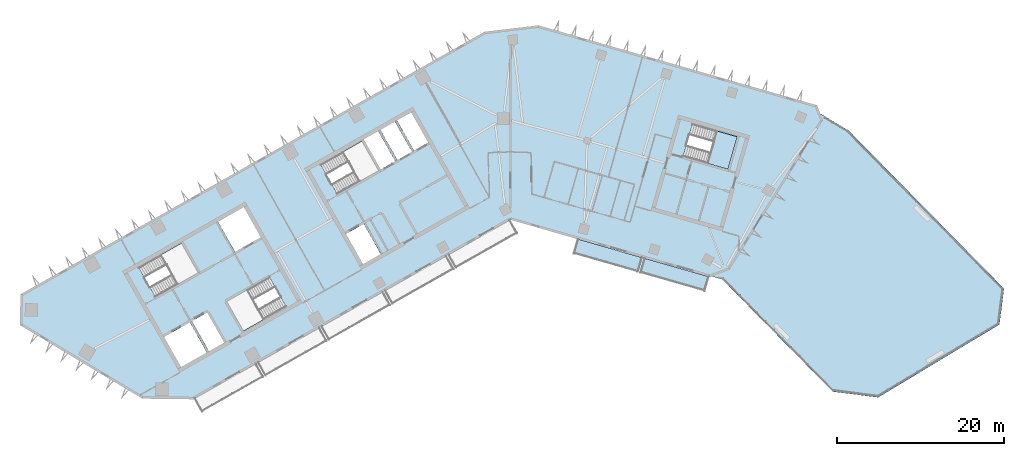
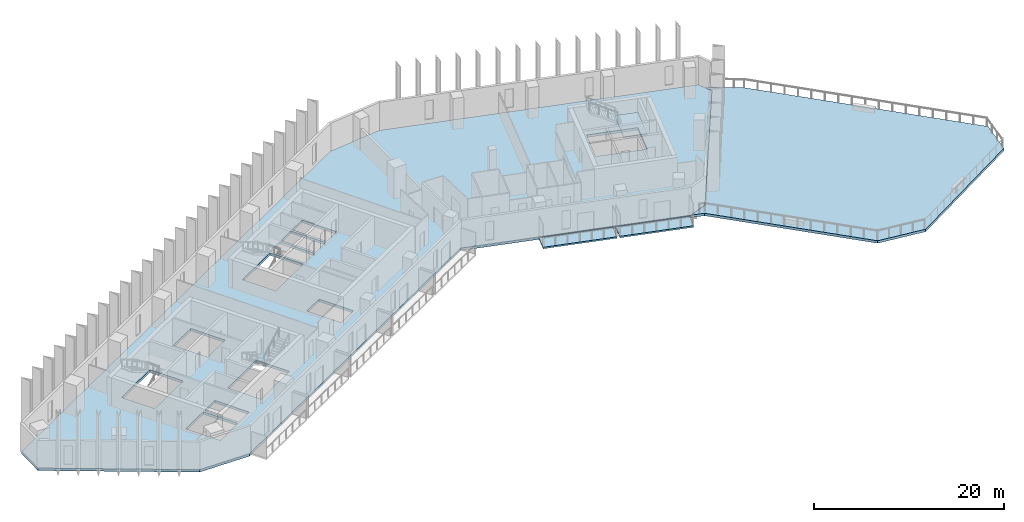
# One storey, part 2 of 12: 5 slabs, 1 element without a shape of its own.
"""IFC4 building model written with IfcOpenShell, lengths in metres."""

from ifc_helpers import new_model, si_unit, direction, frame, origin, place, context, subcontext, project, spatial, polyline, outline, extrude, material, layer, layer_set, type_object, element, aggregate, save


model = new_model("IFC4")

# Units and contexts
model_context = context("Model", 3, precision=1e-05, world=origin(), true_north=direction((0.0, 1.0)))
body_context = subcontext(model_context, "Body", "Model", "MODEL_VIEW")
ifc_project = project(units=[si_unit("LENGTHUNIT", "METRE"), si_unit("AREAUNIT", "SQUARE_METRE"), si_unit("VOLUMEUNIT", "CUBIC_METRE"), si_unit("PLANEANGLEUNIT", "RADIAN"), si_unit("MASSUNIT", "GRAM", prefix="KILO")], contexts=[model_context])

# Site, building, storey
site_placement = place(None, origin())
site = spatial("IfcSite", under=ifc_project, at=site_placement, CompositionType="ELEMENT")
building_placement = place(site_placement, origin())
building = spatial("IfcBuilding", under=site, at=building_placement, Name="Binnacle Exchange Tower", CompositionType="ELEMENT")
storey_placement = place(building_placement, frame((0.0, 0.0, 154.89990234375)))
storey = spatial("IfcBuildingStorey", under=building, at=storey_placement, Name="L32", CompositionType="ELEMENT", Elevation=154.89990234375)

# Slabs
ifc_material = material(Name="Concrete C35/45", Category="concrete")
ifc_layer_1 = layer(ifc_material, 0.199951171875)
ifc_layer_set_1 = layer_set([ifc_layer_1], Name="BALCONY SLAB 200")
slab_type_1 = type_object("IfcSlabType", Name="BALCONY SLAB 200", PredefinedType="FLOOR", material=ifc_layer_set_1)
slab_1_placement = place(storey_placement, frame((0.0, 0.0, -0.199951171875)))
element("IfcSlab", 1, at=slab_1_placement, inside=storey, type_object=slab_type_1, Name="Balcony BA-G02-01 L32", PredefinedType="FLOOR", context=body_context, shape_type="SweptSolid", body=[
    extrude(outline(polyline([(8.100830078125, 45.52099609375), (15.810546875, 43.310302734375), (15.314453125, 41.580078125), (7.604736328125, 43.790771484375), (8.100830078125, 45.52099609375)])), origin(), (0.0, 0.0, 1.0), 0.199951171875),
])
slab_2_placement = place(storey_placement, frame((0.0, 0.0, -0.199951171875)))
element("IfcSlab", 2, at=slab_2_placement, inside=storey, type_object=slab_type_1, Name="Balcony BA-G02-02 L32", PredefinedType="FLOOR", context=body_context, shape_type="SweptSolid", body=[
    extrude(outline(polyline([(16.09912109375, 43.2275390625), (23.80859375, 41.016845703125), (23.3125, 39.28662109375), (15.602783203125, 41.497314453125), (16.09912109375, 43.2275390625)])), origin(), (0.0, 0.0, 1.0), 0.199951171875),
])
ifc_layer_2 = layer(ifc_material, 0.320068359375)
ifc_layer_set_2 = layer_set([ifc_layer_2], Name="Floor slab 320 Concrete C35/45")
slab_type_2 = type_object("IfcSlabType", Name="Floor slab 320 Concrete C35/45", PredefinedType="FLOOR", material=ifc_layer_set_2)
slab_3_placement = place(storey_placement, frame((0.0, 0.0, -0.31982421875)))
element("IfcSlab", 3, at=slab_3_placement, inside=storey, type_object=slab_type_2, Name="S:SL:L32:01", PredefinedType="FLOOR", context=body_context, shape_type="SweptSolid", body=[
    extrude(outline(polyline([(-58.716064453125, 35.280029296875), (-58.669921875, 38.80615234375), (-3.046142578125, 70.276611328125), (3.364501953125, 71.035400390625), (36.71240234375, 61.472900390625), (37.359375, 59.787353515625), (26.23095703125, 41.978515625), (23.994140625, 41.119873046875), (0.0, 48.0), (-38.097900390625, 26.4453125), (-44.14404296875, 26.5244140625), (-58.716064453125, 35.280029296875)]), holes=[polyline([(-38.4794921875, 35.529296875), (-41.61279296875, 33.756591796875), (-39.544677734375, 30.10107421875), (-36.411376953125, 31.873779296875), (-38.4794921875, 35.529296875)]), polyline([(-36.390625, 36.711181640625), (-38.21826171875, 35.677001953125), (-36.150146484375, 32.021484375), (-34.322509765625, 33.0556640625), (-36.390625, 36.711181640625)]), polyline([(-32.04638671875, 34.515625), (-26.9287109375, 37.4111328125), (-28.923095703125, 40.93603515625), (-34.040771484375, 38.04052734375), (-32.04638671875, 34.515625)]), polyline([(-37.486572265625, 41.4912109375), (-39.480712890625, 45.01611328125), (-44.598388671875, 42.12060546875), (-42.604248046875, 38.595703125), (-37.486572265625, 41.4912109375)]), polyline([(-29.914306640625, 45.775390625), (-31.982666015625, 49.430908203125), (-35.115966796875, 47.657958984375), (-33.047607421875, 44.00244140625), (-29.914306640625, 45.775390625)]), polyline([(-17.81689453125, 57.27294921875), (-22.760498046875, 54.47607421875), (-20.76611328125, 50.950927734375), (-15.822509765625, 53.748046875), (-17.81689453125, 57.27294921875)]), polyline([(-15.53076171875, 43.6875), (-17.598876953125, 47.343017578125), (-19.77490234375, 46.11181640625), (-17.70654296875, 42.456298828125), (-15.53076171875, 43.6875)]), polyline([(-13.82080078125, 54.880615234375), (-15.888916015625, 58.5361328125), (-17.629638671875, 57.55126953125), (-15.5615234375, 53.895751953125), (-13.82080078125, 54.880615234375)]), polyline([(27.227783203125, 57.810302734375), (21.864013671875, 59.348388671875), (20.74755859375, 55.455078125), (26.111328125, 53.9169921875), (27.227783203125, 57.810302734375)]), polyline([(-11.819091796875, 56.01318359375), (-13.88720703125, 59.668701171875), (-15.6279296875, 58.683837890625), (-13.559814453125, 55.0283203125), (-11.819091796875, 56.01318359375)]), polyline([(-9.817138671875, 57.145751953125), (-11.885498046875, 60.80126953125), (-13.626220703125, 59.81640625), (-11.557861328125, 56.160888671875), (-9.817138671875, 57.145751953125)])]), origin(), (0.0, 0.0, 1.0), 0.31982421875),
])

# Stair, slab
stair_type = type_object("IfcStairType", Name="STAIR 24 RISERS 167", PredefinedType="HALF_TURN_STAIR", material=ifc_material)
stair_placement = place(storey_placement, origin())
stair = element("IfcStair", 4, at=stair_placement, inside=storey, type_object=stair_type, Name="L32 Escape stair D1", PredefinedType="HALF_TURN_STAIR")
ifc_layer_3 = layer(ifc_material, 0.199951171875)
ifc_layer_set_3 = layer_set([ifc_layer_3], Name="STAIR LANDING 200")
slab_type_3 = type_object("IfcSlabType", Name="STAIR LANDING 200", PredefinedType="LANDING", material=ifc_layer_set_3)
slab_4_placement = place(storey_placement, frame((0.0, 0.0, 1.800048828125)))
slab_4 = element("IfcSlab", 5, at=slab_4_placement, type_object=slab_type_3, Name="STD1 landing 1", PredefinedType="LANDING", context=body_context, shape_type="SweptSolid", body=[
    extrude(outline(polyline([(23.669677734375, 54.6171875), (26.111328125, 53.917236328125), (27.227783203125, 57.810302734375), (24.7861328125, 58.51025390625), (23.669677734375, 54.6171875)])), origin(), (0.0, 0.0, 1.0), 0.199951171875),
])
aggregate(stair, [slab_4])

# Slab
ifc_layer_4 = layer(ifc_material, 0.320068359375)
ifc_layer_set_4 = layer_set([ifc_layer_4], Name="Terrace slab 320 Concrete C35/45")
slab_type_4 = type_object("IfcSlabType", Name="Terrace slab 320 Concrete C35/45", PredefinedType="ROOF", material=ifc_layer_set_4)
slab_5_placement = place(storey_placement, frame((0.0, 0.0, -0.31982421875)))
element("IfcSlab", 6, at=slab_5_placement, inside=storey, type_object=slab_type_4, Name="TERRACE T3 slab", PredefinedType="ROOF", context=body_context, shape_type="SweptSolid", body=[
    extrude(outline(polyline([(40.607421875, 58.56298828125), (59.262939453125, 39.5791015625), (58.716064453125, 35.280029296875), (44.14404296875, 26.5244140625), (38.69091796875, 27.21826171875), (25.43603515625, 40.706298828125), (23.994140625, 41.119873046875), (26.23095703125, 41.978515625), (37.359375, 59.787353515625), (37.007080078125, 60.705078125), (40.607421875, 58.56298828125)])), origin(), (0.0, 0.0, 1.0), 0.31982421875),
])

save(model, "model.ifc")
